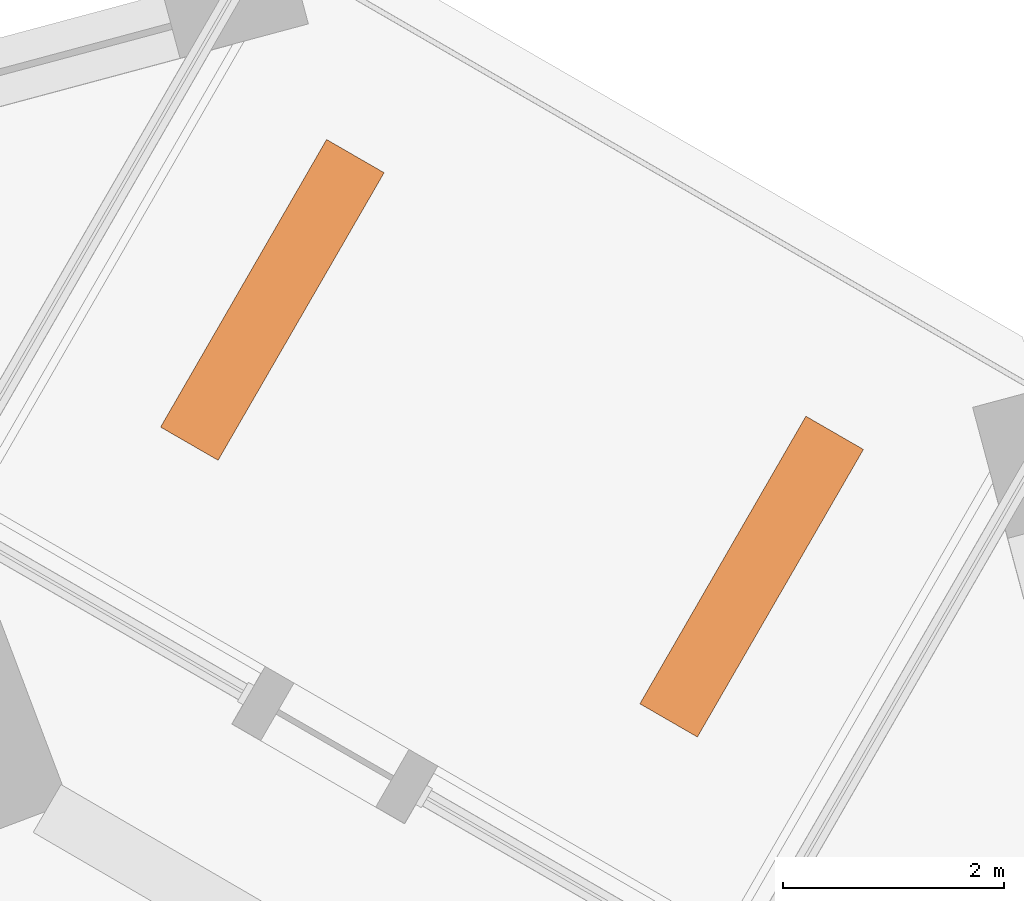
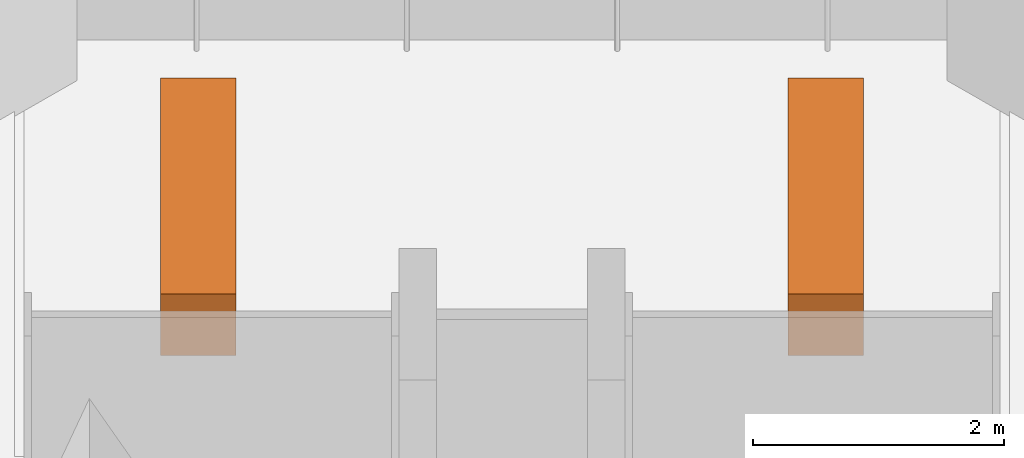
# One storey, part 13 of 13: 2 proxies.
"""IFC4 building model written with IfcOpenShell, lengths in metres."""

import ifcopenshell
import ifcopenshell.guid

model = None  # the IFC model being written
_history = None  # IfcOwnerHistory: only IFC2X3 demands one
_inside = {}  # id of a spatial element -> (the spatial element, [elements in it])
_under = {}  # id of a project, library or spatial element -> (it, [spatial elements below it])
_declared = {}  # id of a project -> (the project, [libraries it declares])
_typed = {}  # id of a type object -> (the type object, [elements of that type])
_made_of = {}  # id of a material, layer set ... -> (it, [elements and type objects made of it])


def new_model(schema):
    """Start an empty IFC model of exactly this schema.

    Asked for "IFC4X3", IfcOpenShell would pick the latest addendum, in which some entities
    have other attributes; the version numbers below select the first issue.
    IFC2X3 requires an IfcOwnerHistory on every rooted entity: one is made here for all.
    """
    global model, _history
    if schema == "IFC4X3":
        model = ifcopenshell.file(schema_version=(4, 3, 0, 0))
    else:
        model = ifcopenshell.file(schema=schema)
    _inside.clear()
    _under.clear()
    _declared.clear()
    _typed.clear()
    _made_of.clear()
    _history = None
    if model.schema == "IFC2X3":
        org = make("IfcOrganization", Name="unknown")
        user = make(
            "IfcPersonAndOrganization",
            ThePerson=make("IfcPerson", FamilyName="unknown"),
            TheOrganization=org,
        )
        app = make(
            "IfcApplication",
            ApplicationDeveloper=org,
            Version="unknown",
            ApplicationFullName="unknown",
            ApplicationIdentifier="unknown",
        )
        _history = make(
            "IfcOwnerHistory",
            OwningUser=user,
            OwningApplication=app,
            ChangeAction="ADDED",
            CreationDate=0,
        )
    return model


def make(cls, **values):
    """One entity of the class cls with the attributes given. An attribute that is None is left unset."""
    return model.create_entity(
        cls, **{name: value for name, value in values.items() if value is not None}
    )


def rooted(cls, **values):
    """An entity with a GlobalId (a new one), such as an element, a storey or a relation."""
    return make(cls, GlobalId=ifcopenshell.guid.new(), OwnerHistory=_history, **values)


def si_unit(unit_type, name, prefix=None):
    """IfcSIUnit, for example si_unit("LENGTHUNIT", "METRE", prefix="MILLI")."""
    return make("IfcSIUnit", UnitType=unit_type, Prefix=prefix, Name=name)


def assignment(units):
    """IfcUnitAssignment: the units of a project."""
    return None if units is None else make("IfcUnitAssignment", Units=units)


def point(xyz):
    """IfcCartesianPoint."""
    return None if xyz is None else make("IfcCartesianPoint", Coordinates=xyz)


def direction(xyz):
    """IfcDirection."""
    return None if xyz is None else make("IfcDirection", DirectionRatios=xyz)


def frame(location, z_axis=None, x_axis=None):
    """IfcAxis2Placement3D, a coordinate frame: its origin and axes. An axis left out is left unset."""
    return make(
        "IfcAxis2Placement3D",
        Location=point(location),
        Axis=direction(z_axis),
        RefDirection=direction(x_axis),
    )


def frame_2d(location, x_axis=None):
    """IfcAxis2Placement2D, a coordinate frame in the plane: its origin and x axis."""
    return make(
        "IfcAxis2Placement2D", Location=point(location), RefDirection=direction(x_axis)
    )


def origin():
    """The frame at (0, 0, 0) with its axes left unset."""
    return frame((0.0, 0.0, 0.0))


def origin_2d():
    """The frame at (0, 0) in the plane with its x axis left unset."""
    return frame_2d((0.0, 0.0))


def place(relative_to, where):
    """IfcLocalPlacement: puts the frame where relative to a parent placement (None: the world)."""
    return make(
        "IfcLocalPlacement", PlacementRelTo=relative_to, RelativePlacement=where
    )


def context(
    kind, dimensions, precision=None, world=None, true_north=None, identifier=None
):
    """IfcGeometricRepresentationContext, for example the 3D "Model" context."""
    return make(
        "IfcGeometricRepresentationContext",
        ContextIdentifier=identifier,
        ContextType=kind,
        CoordinateSpaceDimension=dimensions,
        Precision=precision,
        WorldCoordinateSystem=world,
        TrueNorth=true_north,
    )


def subcontext(parent, identifier, kind, view, scale=None):
    """IfcGeometricRepresentationSubContext, for example "Body" below "Model"."""
    return make(
        "IfcGeometricRepresentationSubContext",
        ContextIdentifier=identifier,
        ContextType=kind,
        ParentContext=parent,
        TargetScale=scale,
        TargetView=view,
    )


def project(units=None, contexts=None):
    """IfcProject with its units and contexts."""
    return rooted(
        "IfcProject",
        Name="project",
        RepresentationContexts=contexts,
        UnitsInContext=assignment(units),
    )


def spatial(cls, under=None, at=None, **own):
    """A site, building, storey or space (cls), placed at a placement, below another one or the project."""
    s = rooted(cls, ObjectPlacement=at, **own)
    if under is not None:
        _under.setdefault(under.id(), (under, []))[1].append(s)
    return s


def profile(cls, at=None, kind="AREA", **sizes):
    """A parametric profile (cls). Its sizes go by their IFC names, for example OverallWidth=200.0."""
    return make(cls, ProfileType=kind, Position=at, **sizes)


def rectangle(**sizes):
    """IfcRectangleProfileDef."""
    return profile("IfcRectangleProfileDef", **sizes)


def extrude(swept, where, along, depth):
    """IfcExtrudedAreaSolid: the profile swept, set in the frame where, extruded along a direction by depth."""
    return make(
        "IfcExtrudedAreaSolid",
        SweptArea=swept,
        Position=where,
        ExtrudedDirection=direction(along),
        Depth=depth,
    )


def shape(context_of_items, identifier, shape_type, items):
    """IfcShapeRepresentation: the items that make up one representation, for example the "Body"."""
    return make(
        "IfcShapeRepresentation",
        ContextOfItems=context_of_items,
        RepresentationIdentifier=identifier,
        RepresentationType=shape_type,
        Items=items,
    )


def made_of(thing, what):
    """Note that an element or type object is made of a material, layer set ...; save() writes the relation."""
    if what is not None:
        _made_of.setdefault(what.id(), (what, []))[1].append(thing)
    return thing


def element(
    cls,
    number,
    at=None,
    inside=None,
    cuts=None,
    type_object=None,
    material=None,
    context=None,
    identifier="Body",
    shape_type=None,
    held_by="IfcProductDefinitionShape",
    body=None,
    shapes=None,
    **own,
):
    """One element of the class cls, such as IfcWall. Its Tag is "e" and its number.

    at: its placement. inside: the storey or other place that contains it. cuts: it is an
    opening in that element (IfcRelVoidsElement). A single representation is given by context,
    identifier, shape_type and body (its items); several are given by shapes. held_by: the class
    of the entity that holds the representations. save() writes the other relations.
    """
    e = rooted(cls, Tag="e%d" % number, ObjectPlacement=at, **own)
    if body is not None:
        shapes = [shape(context, identifier, shape_type, body)]
    if shapes is not None:
        e.Representation = make(held_by, Representations=shapes)
    if inside is not None:
        _inside.setdefault(inside.id(), (inside, []))[1].append(e)
    if cuts is not None:
        rooted(
            "IfcRelVoidsElement", RelatingBuildingElement=cuts, RelatedOpeningElement=e
        )
    if type_object is not None:
        _typed.setdefault(type_object.id(), (type_object, []))[1].append(e)
    return made_of(e, material)


def aggregate(whole, parts):
    """IfcRelAggregates: a whole, such as a stair, and the parts it consists of."""
    return rooted("IfcRelAggregates", RelatingObject=whole, RelatedObjects=parts)


def save(model, path):
    """Write the relations noted so far, then the file.

    IfcRelAggregates (storeys below a building ...), IfcRelContainedInSpatialStructure (elements
    in a storey), IfcRelDefinesByType, IfcRelAssociatesMaterial and IfcRelDeclares: one each for
    every whole, place, type object, material and project.
    """
    for whole, parts in _under.values():
        aggregate(whole, parts)
    for where, things in _inside.values():
        rooted(
            "IfcRelContainedInSpatialStructure",
            RelatedElements=things,
            RelatingStructure=where,
        )
    for kind, things in _typed.values():
        rooted("IfcRelDefinesByType", RelatedObjects=things, RelatingType=kind)
    for what, things in _made_of.values():
        rooted("IfcRelAssociatesMaterial", RelatedObjects=things, RelatingMaterial=what)
    for by, libraries in _declared.values():
        rooted("IfcRelDeclares", RelatingContext=by, RelatedDefinitions=libraries)
    model.write(path)


model = new_model("IFC4")

# Units and contexts
model_context = context("Model", 3, precision=1e-05, world=origin(), true_north=direction((0.0, 1.0)))
body_context = subcontext(model_context, "Body", "Model", "MODEL_VIEW")
ifc_project = project(units=[si_unit("LENGTHUNIT", "METRE"), si_unit("AREAUNIT", "SQUARE_METRE"), si_unit("VOLUMEUNIT", "CUBIC_METRE"), si_unit("PLANEANGLEUNIT", "RADIAN"), si_unit("MASSUNIT", "GRAM", prefix="KILO")], contexts=[model_context])

# Site, building, storey
site_placement = place(None, origin())
site = spatial("IfcSite", under=ifc_project, at=site_placement, CompositionType="ELEMENT")
building_placement = place(site_placement, origin())
building = spatial("IfcBuilding", under=site, at=building_placement, Name="Dilmun Exchange Tower", CompositionType="ELEMENT")
storey_placement = place(building_placement, frame((0.0, 0.0, 86.10009765625)))
storey = spatial("IfcBuildingStorey", under=building, at=storey_placement, Name="L19", CompositionType="ELEMENT", Elevation=86.10009765625)

# Proxies
for number, where, z_axis, x_axis, name in (
    (1, (20.578125, 27.81396484375, -0.000244140625), (0.0, 0.0, 1.0), (0.5, 0.866025403784, 0.0), "PLANTER Date palm L19.1"),
    (2, (16.248046875, 30.31396484375, -0.000244140625), (0.0, 0.0, 1.0), (0.5, 0.866025403784, 0.0), "PLANTER Date palm L19.2"),
):
    element("IfcBuildingElementProxy", number, at=place(storey_placement, frame(where, z_axis=z_axis, x_axis=x_axis)), inside=storey, Name=name, ObjectType="PLANTER", PredefinedType="USERDEFINED", context=body_context, shape_type="SweptSolid", body=[
        extrude(rectangle(XDim=3.0, YDim=0.60009765625, at=origin_2d()), origin(), (0.0, 0.0, 1.0), 0.60009765625),
    ])

save(model, "model.ifc")
